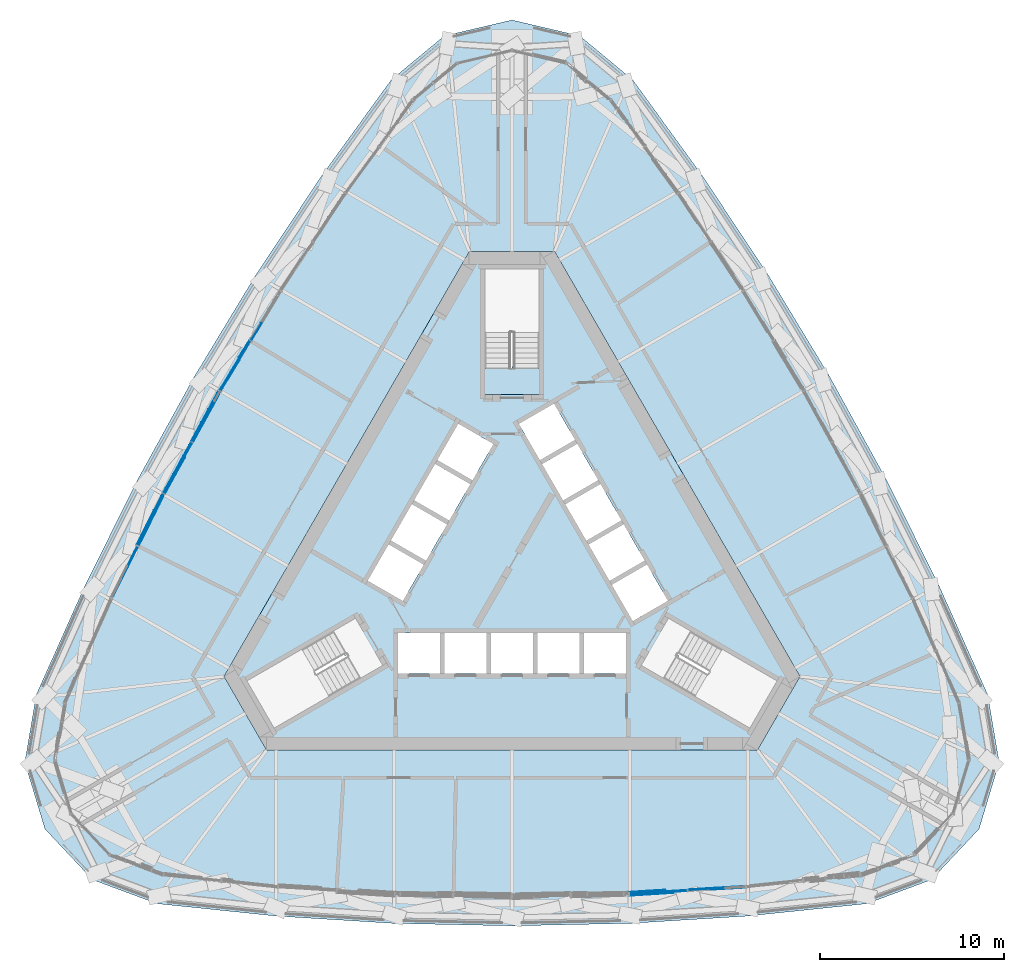
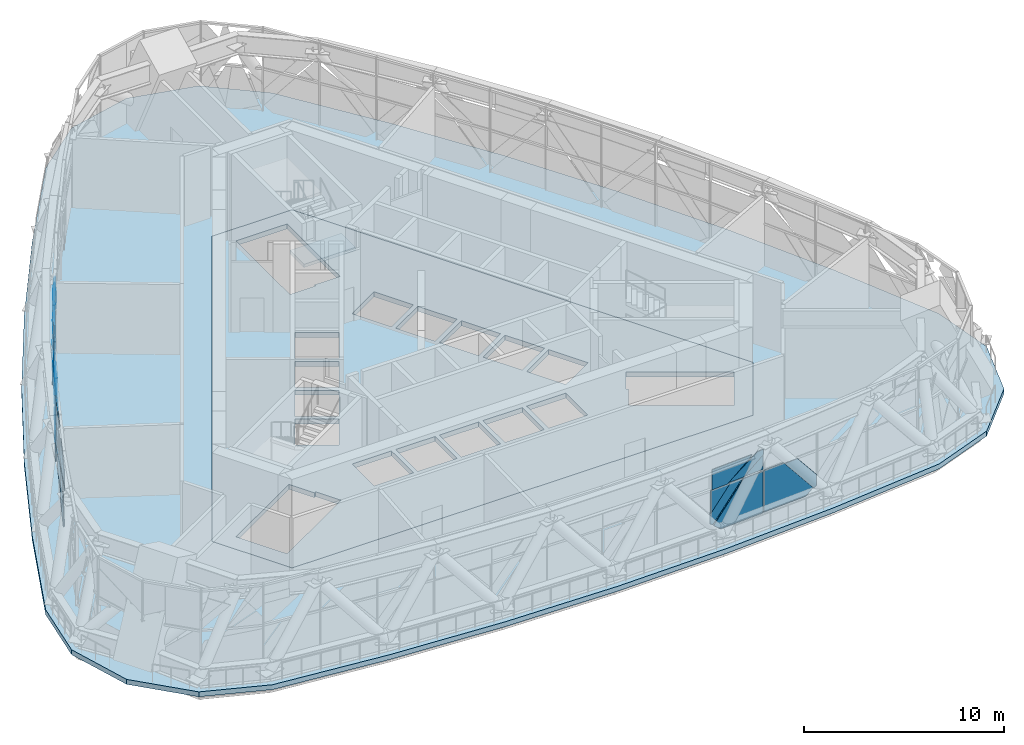
# One storey, part 11 of 33: 39 plates, 3 slabs, 3 elements without a shape of their own.
"""IFC4 building model written with IfcOpenShell, lengths in metres."""

from ifc_helpers import new_model, si_unit, direction, frame, origin, place, context, subcontext, project, spatial, polyline, outline, extrude, material, layer, layer_set, type_object, element, aggregate, save


model = new_model("IFC4")

# Units and contexts
model_context = context("Model", 3, precision=1e-05, world=origin(), true_north=direction((0.0, 1.0)))
body_context = subcontext(model_context, "Body", "Model", "MODEL_VIEW")
ifc_project = project(units=[si_unit("LENGTHUNIT", "METRE"), si_unit("AREAUNIT", "SQUARE_METRE"), si_unit("VOLUMEUNIT", "CUBIC_METRE"), si_unit("PLANEANGLEUNIT", "RADIAN"), si_unit("MASSUNIT", "GRAM", prefix="KILO")], contexts=[model_context])

# Site, building, storey
site_placement = place(None, origin())
site = spatial("IfcSite", under=ifc_project, at=site_placement, CompositionType="ELEMENT")
building_placement = place(site_placement, origin())
building = spatial("IfcBuilding", under=site, at=building_placement, Name="Mestral Congress Tower", CompositionType="ELEMENT")
storey_placement = place(building_placement, frame((0.0, 0.0, 256.199951171875)))
storey = spatial("IfcBuildingStorey", under=building, at=storey_placement, Name="L60", CompositionType="ELEMENT", Elevation=256.199951171875)

# Slabs
ifc_material_1 = material(Name="Concrete C35/45", Category="concrete")
ifc_layer_1 = layer(ifc_material_1, 0.300048828125)
ifc_layer_set_1 = layer_set([ifc_layer_1], Name="Concrete C35/45")
slab_type_1 = type_object("IfcSlabType", Name="Composite floor slab 300", PredefinedType="FLOOR", material=ifc_layer_set_1)
placement_1 = place(storey_placement, frame((0.0, 0.0, -0.300048828125)))
element("IfcSlab", 1, at=placement_1, inside=storey, type_object=slab_type_1, Name="SL-L60", PredefinedType="FLOOR", context=body_context, shape_type="SweptSolid", body=[
    extrude(outline(polyline([(-19.253662109375, -18.678466796875), (-22.75, -17.381591796875), (-25.3369140625, -14.62841796875), (-26.427978515625, -11.01123046875), (-25.802978515625, -7.334716796875), (-23.16748046875, -1.4306640625), (-20.310302734375, 4.316650390625), (-17.21728515625, 9.9404296875), (-13.8935546875, 15.430908203125), (-10.3447265625, 20.77880859375), (-6.54931640625, 26.013427734375), (-3.677978515625, 28.392822265625), (0.0, 29.256591796875), (3.677978515625, 28.392822265625), (6.54931640625, 26.013427734375), (10.3447265625, 20.77880859375), (13.8935546875, 15.430908203125), (17.21728515625, 9.9404296875), (20.310302734375, 4.316650390625), (23.16748046875, -1.4306640625), (25.802978515625, -7.334716796875), (26.427978515625, -11.01123046875), (25.3369140625, -14.62841796875), (22.75, -17.381591796875), (19.253662109375, -18.678466796875), (12.822509765625, -19.34814453125), (6.416748046875, -19.74755859375), (0.0, -19.880615234375), (-6.416748046875, -19.74755859375), (-12.822509765625, -19.34814453125), (-19.253662109375, -18.678466796875)]), holes=[polyline([(-2.309326171875, 16.699951171875), (-15.6171875, -6.35009765625), (-13.307861328125, -10.35009765625), (13.307861328125, -10.35009765625), (15.6171875, -6.35009765625), (2.309326171875, 16.699951171875), (-2.309326171875, 16.699951171875)])]), origin(), (0.0, 0.0, 1.0), 0.300048828125),
])
ifc_material_2 = material(Name="Concrete C60/75", Category="concrete")
ifc_layer_2 = layer(ifc_material_2, 0.300048828125)
ifc_layer_set_2 = layer_set([ifc_layer_2], Name="Concrete C60/75")
slab_type_2 = type_object("IfcSlabType", Name="Core floor slab RC 300", PredefinedType="FLOOR", material=ifc_layer_set_2)
element("IfcSlab", 2, at=placement_1, inside=storey, type_object=slab_type_2, Name="L60 core floor", PredefinedType="FLOOR", context=body_context, shape_type="SweptSolid", body=[
    extrude(outline(polyline([(13.307861328125, -10.35009765625), (-13.307861328125, -10.35009765625), (-15.6171875, -6.35009765625), (-2.309326171875, 16.699951171875), (2.309326171875, 16.699951171875), (15.6171875, -6.35009765625), (13.307861328125, -10.35009765625)]), holes=[polyline([(-9.8046875, -3.95751953125), (-14.37744140625, -6.59765625), (-12.90234375, -9.15234375), (-8.234619140625, -6.45751953125), (-8.971923828125, -5.179931640625), (-9.0673828125, -5.235107421875), (-9.8046875, -3.95751953125)]), polyline([(-3.905029296875, -4.0), (-6.175048828125, -4.0), (-6.175048828125, -6.199951171875), (-3.905029296875, -6.199951171875), (-3.905029296875, -4.0)]), polyline([(-1.385009765625, -4.0), (-3.655029296875, -4.0), (-3.655029296875, -6.199951171875), (-1.385009765625, -6.199951171875), (-1.385009765625, -4.0)]), polyline([(1.135009765625, -4.0), (-1.135009765625, -4.0), (-1.135009765625, -6.199951171875), (1.135009765625, -6.199951171875), (1.135009765625, -4.0)]), polyline([(-5.921630859375, -2.256591796875), (-4.78662109375, -0.29052734375), (-6.69189453125, 0.809326171875), (-7.826904296875, -1.156494140625), (-5.921630859375, -2.256591796875)]), polyline([(-4.66162109375, -0.07421875), (-3.526611328125, 1.8916015625), (-5.431884765625, 2.99169921875), (-6.56689453125, 1.02587890625), (-4.66162109375, -0.07421875)]), polyline([(-3.401611328125, 2.1083984375), (-2.2666015625, 4.07421875), (-4.171875, 5.174072265625), (-5.306884765625, 3.208251953125), (-3.401611328125, 2.1083984375)]), polyline([(-2.1416015625, 4.29052734375), (-1.006591796875, 6.256591796875), (-2.911865234375, 7.3564453125), (-4.046875, 5.390625), (-2.1416015625, 4.29052734375)]), polyline([(1.47509765625, 10.469970703125), (1.47509765625, 15.75), (-1.47509765625, 15.75), (-1.47509765625, 10.360107421875), (0.0, 10.360107421875), (0.0, 10.469970703125), (1.47509765625, 10.469970703125)]), polyline([(8.329833984375, -6.512451171875), (12.90234375, -9.15234375), (14.37744140625, -6.59765625), (9.70947265625, -3.902587890625), (8.971923828125, -5.179931640625), (9.0673828125, -5.235107421875), (8.329833984375, -6.512451171875)]), polyline([(3.655029296875, -4.0), (1.385009765625, -4.0), (1.385009765625, -6.199951171875), (3.655029296875, -6.199951171875), (3.655029296875, -4.0)]), polyline([(6.175048828125, -4.0), (3.905029296875, -4.0), (3.905029296875, -6.199951171875), (6.175048828125, -6.199951171875), (6.175048828125, -4.0)]), polyline([(5.41650390625, -1.3818359375), (6.551513671875, -3.34765625), (8.456787109375, -2.247802734375), (7.322021484375, -0.28173828125), (5.41650390625, -1.3818359375)]), polyline([(4.156494140625, 0.800537109375), (5.29150390625, -1.165283203125), (7.197021484375, -0.065185546875), (6.06201171875, 1.900634765625), (4.156494140625, 0.800537109375)]), polyline([(2.896484375, 2.98291015625), (4.031494140625, 1.01708984375), (5.93701171875, 2.1171875), (4.802001953125, 4.0830078125), (2.896484375, 2.98291015625)]), polyline([(3.5419921875, 6.265380859375), (1.63671875, 5.165283203125), (2.771484375, 3.199462890625), (4.677001953125, 4.29931640625), (3.5419921875, 6.265380859375)]), polyline([(2.281982421875, 8.44775390625), (0.376708984375, 7.34765625), (1.51171875, 5.3818359375), (3.4169921875, 6.481689453125), (2.281982421875, 8.44775390625)])]), origin(), (0.0, 0.0, 1.0), 0.300048828125),
])

# Stair, slab
stair_type = type_object("IfcStairType", Name="Exit stair 1400", PredefinedType="HALF_TURN_STAIR", material=ifc_material_2)
placement_2 = place(storey_placement, origin())
stair = element("IfcStair", 3, at=placement_2, inside=storey, type_object=stair_type, Name="L60 ST2", PredefinedType="HALF_TURN_STAIR")
ifc_layer_3 = layer(ifc_material_2, 0.199951171875)
ifc_layer_set_3 = layer_set([ifc_layer_3], Name="Concrete C60/75")
slab_type_3 = type_object("IfcSlabType", Name="Exit stair landing 200", PredefinedType="LANDING", material=ifc_layer_set_3)
slab_3_placement = place(storey_placement, frame((0.0, 0.0, 2.5)))
slab_3 = element("IfcSlab", 4, at=slab_3_placement, type_object=slab_type_3, Name="ST2 landing 2", PredefinedType="LANDING", context=body_context, shape_type="SweptSolid", body=[
    extrude(outline(polyline([(1.485107421875, 8.93994140625), (-1.485107421875, 8.93994140625), (-1.485107421875, 10.360107421875), (1.485107421875, 10.360107421875), (1.485107421875, 8.93994140625)])), origin(), (0.0, 0.0, 1.0), 0.199951171875),
])
aggregate(stair, [slab_3])

# Curtain wall, plates
ifc_material_3 = material(Name="Clear low-emissivity double glazing", Category="glass")
curtain_wall_type = type_object("IfcCurtainWallType", Name="Facade refuge band screen", PredefinedType="USERDEFINED", material=ifc_material_3)
curtain_wall_1 = element("IfcCurtainWall", 5, at=placement_2, inside=storey, type_object=curtain_wall_type, Name="Facade refuge band screen face 1", ObjectType="CURTAIN WALL", PredefinedType="USERDEFINED")
ifc_material_4 = material(Name="Anodised aluminium", Category="aluminium")
ifc_layer_4 = layer(ifc_material_4, 0.028076171875)
ifc_layer_set_4 = layer_set([ifc_layer_4], Name="Anodised aluminium")
plate_type_1 = type_object("IfcPlateType", Name="Facade refuge band screen brace cover panel", PredefinedType="CURTAIN_PANEL", material=ifc_layer_set_4)
plate_1_placement = place(storey_placement, frame((8.330322265625, -17.951171875, 2.5400390625), z_axis=(0.062144792562, -0.998065140497, 0.002000020462), x_axis=(-0.638388568148, -0.04128964255, -0.768606011865)))
plate_1 = element("IfcPlate", 6, at=plate_1_placement, type_object=plate_type_1, Name="Facade refuge band screen brace cover panel", PredefinedType="CURTAIN_PANEL", context=body_context, shape_type="SweptSolid", body=[
    extrude(outline(polyline([(0.0, 0.0), (2.827320616472981, 0.0), (2.827377368042765, -0.19470317227587874), (2.3272451732591004, -0.6108700489222334), (0.5082584416848275, -0.6106593972965141), (0.0, 0.0)])), origin(), (0.0, 0.0, -1.0), 0.028076171875),
])
plate_2_placement = place(storey_placement, frame((9.4912109375, -17.966552734375, 2.66015625), z_axis=(0.062351858109, -0.998052454203, 0.001882670683), x_axis=(-0.998054222981, -0.062351968611, 0.0)))
plate_2 = element("IfcPlate", 7, at=plate_2_placement, type_object=plate_type_1, Name="Facade refuge band screen brace cover panel", PredefinedType="CURTAIN_PANEL", context=body_context, shape_type="SweptSolid", body=[
    extrude(outline(polyline([(0.0, 0.0), (1.1550795585099667, 0.0), (0.00013710704167642525, -0.9140641199282181), (0.0, 0.0)])), origin(), (0.0, 0.0, -1.0), 0.028076171875),
])
plate_3_placement = place(storey_placement, frame((9.492919921875, -17.99609375, 3.887939453125), z_axis=(0.062354867406, -0.998052443288, 0.001786325364), x_axis=(1.4524698e-05, -0.001788900805, -0.99999839981)))
plate_3 = element("IfcPlate", 8, at=plate_3_placement, type_object=plate_type_1, Name="Facade refuge band screen brace cover panel", PredefinedType="CURTAIN_PANEL", context=body_context, shape_type="SweptSolid", body=[
    extrude(outline(polyline([(0.0, 0.0), (0.3137210745990492, 3.3881317890172014e-21), (1.2278972674296507, -1.1548537408905661), (1.2279892076681111, -2.1034727433419658), (3.495702983345872e-05, -0.3603198839210356), (0.0, 0.0)])), origin(), (0.0, 0.0, -1.0), 0.028076171875),
])
plate_4_placement = place(storey_placement, frame((8.638427734375, -18.10986328125, 3.710693359375), z_axis=(0.06213692275, -0.998065540411, 0.002044474346), x_axis=(-0.782545949217, -0.049990466983, -0.620582621877)))
plate_4 = element("IfcPlate", 9, at=plate_4_placement, type_object=plate_type_1, Name="Facade refuge band screen brace cover panel", PredefinedType="CURTAIN_PANEL", context=body_context, shape_type="SweptSolid", body=[
    extrude(outline(polyline([(0.0, 0.0), (1.692824227155357, 1.1102230246251565e-16), (2.420935109341617, -0.5762415467000305), (1.659063194268874, -1.5390545065045025), (-0.2258667883353706, -0.04728380211361678), (0.0, 0.0)])), origin(), (0.0, 0.0, -1.0), 0.028076171875),
])
plate_5_placement = place(storey_placement, frame((12.663818359375, -17.815185546875, 0.492919921875), z_axis=(0.062052974081, -0.99807113598, 0.001853626329), x_axis=(-0.775899082091, -0.049407928157, -0.628919288181)))
plate_5 = element("IfcPlate", 10, at=plate_5_placement, type_object=plate_type_1, Name="Facade refuge band screen brace cover panel", PredefinedType="CURTAIN_PANEL", context=body_context, shape_type="SweptSolid", body=[
    extrude(outline(polyline([(0.0, 0.0), (0.196036544384807, -1.3877787807814457e-17), (0.19515850341150043, -2.7909278487270806), (-0.41492851637632144, -2.2974084926978247), (-0.4142881590230374, -0.5124089439145706), (0.0, 0.0)])), origin(), (0.0, 0.0, -1.0), 0.028076171875),
])

curtain_wall_2 = element("IfcCurtainWall", 11, at=placement_2, inside=storey, type_object=curtain_wall_type, Name="Facade refuge band screen face 3", ObjectType="CURTAIN WALL", PredefinedType="USERDEFINED")
plate_6_placement = place(storey_placement, frame((-15.805419921875, 9.15966796875, 0.50048828125), z_axis=(-0.855416975413, 0.51793637812, 0.001925200217), x_axis=(0.398444970648, 0.660432252264, -0.636451762143)))
plate_6 = element("IfcPlate", 12, at=plate_6_placement, type_object=plate_type_1, Name="Facade refuge band screen brace cover panel", PredefinedType="CURTAIN_PANEL", context=body_context, shape_type="SweptSolid", body=[
    extrude(outline(polyline([(0.0, 0.0), (0.20177198046057285, 1.3877787807814457e-17), (0.20042256245728418, -2.8096334307628164), (-0.4126345769633153, -2.303767933156035), (-0.411700257397858, -0.49907683110719514), (0.0, 0.0)])), origin(), (0.0, 0.0, -1.0), 0.028076171875),
])
plate_7_placement = place(storey_placement, frame((-15.20751953125, 10.255126953125, 2.66015625), z_axis=(-0.855427031526, 0.517919733572, 0.00193476394), x_axis=(0.517920702788, 0.855428632688, -9.2996e-08)))
plate_7 = element("IfcPlate", 13, at=plate_7_placement, type_object=plate_type_1, Name="Facade refuge band screen brace cover panel", PredefinedType="CURTAIN_PANEL", context=body_context, shape_type="SweptSolid", body=[
    extrude(outline(polyline([(0.0, 0.0), (0.7948200798189605, 1.0842021724855044e-19), (1.8691751340020721, -1.3029810688824501), (1.8690103049889002, -1.6279329299602396), (1.3421166034116943, -1.627932745114823), (0.0, 0.0)])), origin(), (0.0, 0.0, -1.0), 0.028076171875),
])
plate_8_placement = place(storey_placement, frame((-16.846923828125, 7.447265625, 2.5400390625), z_axis=(-0.876198636607, 0.481945799732, 0.002048249992), x_axis=(0.305178809276, 0.558107792197, -0.771609737275)))
plate_8 = element("IfcPlate", 14, at=plate_8_placement, type_object=plate_type_1, Name="Facade refuge band screen brace cover panel", PredefinedType="CURTAIN_PANEL", context=body_context, shape_type="SweptSolid", body=[
    extrude(outline(polyline([(0.0, 0.0), (2.8096701158355097, 0.0), (2.809560862782961, -0.2017529115772827), (2.3103142238405114, -0.6132482681855543), (0.505641377659625, -0.6133658670561077), (0.0, 0.0)])), origin(), (0.0, 0.0, -1.0), 0.028076171875),
])
plate_9_placement = place(storey_placement, frame((-16.8681640625, 7.34619140625, 2.66015625), z_axis=(-0.876235094746, 0.481879438201, 0.002065375073), x_axis=(0.481880466565, 0.876236963351, 3.12624e-07)))
plate_9 = element("IfcPlate", 15, at=plate_9_placement, type_object=plate_type_1, Name="Facade refuge band screen brace cover panel", PredefinedType="CURTAIN_PANEL", context=body_context, shape_type="SweptSolid", body=[
    extrude(outline(polyline([(0.0, 0.0), (0.7947017264448775, 0.0), (-0.5472923116402686, -1.6279334283043365), (-1.074177024268392, -1.6279335675669595), (-1.0741984940126765, -1.302981962128315), (0.0, 0.0)])), origin(), (0.0, 0.0, -1.0), 0.028076171875),
])
plate_10_placement = place(storey_placement, frame((-18.867431640625, 3.59521484375, 0.500732421875), z_axis=(-0.876282913322, 0.481792353902, 0.002093690983), x_axis=(0.372110592484, 0.679541540207, -0.632263396137)))
plate_10 = element("IfcPlate", 16, at=plate_10_placement, type_object=plate_type_1, Name="Facade refuge band screen brace cover panel", PredefinedType="CURTAIN_PANEL", context=body_context, shape_type="SweptSolid", body=[
    extrude(outline(polyline([(0.0, 0.0), (0.2019497471340079, 1.3877787807814457e-17), (0.20269352211417369, -2.7976256775714865), (-0.4105423814962612, -2.2971722848183256), (-0.4109529375424388, -0.5034806473619563), (0.0, 0.0)])), origin(), (0.0, 0.0, -1.0), 0.028076171875),
])
plate_11_placement = place(storey_placement, frame((-17.94091796875, 5.3955078125, 2.66015625), z_axis=(-0.876285619366, 0.481787447184, 0.002090221937), x_axis=(0.306173078471, 0.553514106652, 0.774519321745)))
plate_11 = element("IfcPlate", 17, at=plate_11_placement, type_object=plate_type_1, Name="Facade refuge band screen brace cover panel", PredefinedType="CURTAIN_PANEL", context=body_context, shape_type="SweptSolid", body=[
    extrude(outline(polyline([(0.0, 0.0), (1.5852195918859489, 1.1102230246251565e-16), (1.0845418756823901, -0.6130527679669315), (-0.5006777162035588, -0.6130527679669318), (0.0, 0.0)])), origin(), (0.0, 0.0, -1.0), 0.028076171875),
])
plate_12_placement = place(storey_placement, frame((-19.815185546875, 1.812744140625, 2.5400390625), z_axis=(-0.895427917878, 0.445201771676, 0.002055816305), x_axis=(0.283415027555, 0.573577561346, -0.76856014942)))
plate_12 = element("IfcPlate", 18, at=plate_12_placement, type_object=plate_type_1, Name="Facade refuge band screen brace cover panel", PredefinedType="CURTAIN_PANEL", context=body_context, shape_type="SweptSolid", body=[
    extrude(outline(polyline([(0.0, 0.0), (2.827489685166924, -2.220446049250313e-16), (2.827492259620915, -0.19462156415574183), (2.327506205375566, -0.6109642974868631), (0.5084587319948426, -0.6108107418727559), (0.0, 0.0)])), origin(), (0.0, 0.0, -1.0), 0.028076171875),
])
plate_13_placement = place(storey_placement, frame((-20.330078125, 0.7763671875, 2.66015625), z_axis=(-0.895437916871, 0.445182307113, 0.001910618785), x_axis=(0.445183119676, 0.895439551257, 0.0)))
plate_13 = element("IfcPlate", 19, at=plate_13_placement, type_object=plate_type_1, Name="Facade refuge band screen brace cover panel", PredefinedType="CURTAIN_PANEL", context=body_context, shape_type="SweptSolid", body=[
    extrude(outline(polyline([(0.0, 0.0), (1.1549408176666986, 0.0), (-0.00022232897631165505, -0.9140641683807569), (0.0, 0.0)])), origin(), (0.0, 0.0, -1.0), 0.028076171875),
])
plate_14_placement = place(storey_placement, frame((-20.354736328125, 0.78857421875, 3.887939453125), z_axis=(-0.895480927051, 0.445096063969, 0.001844756806), x_axis=(-0.001650115417, 0.000824781015, -0.999998298426)))
plate_14 = element("IfcPlate", 20, at=plate_14_placement, type_object=plate_type_1, Name="Facade refuge band screen brace cover panel", PredefinedType="CURTAIN_PANEL", context=body_context, shape_type="SweptSolid", body=[
    extrude(outline(polyline([(0.0, 0.0), (0.3137211763890565, -2.7316812548951186e-20), (1.2277900933251804, -1.1548322576128653), (1.2277938868459202, -2.103635096860657), (1.5221369438251525e-06, -0.3604141629692868), (0.0, 0.0)])), origin(), (0.0, 0.0, -1.0), 0.028076171875),
])
plate_15_placement = place(storey_placement, frame((-19.918701171875, 1.531982421875, 3.710693359375), z_axis=(-0.895454783306, 0.445147875154, 0.002024919737), x_axis=(0.347927144293, 0.702709617976, -0.62060123676)))
plate_15 = element("IfcPlate", 21, at=plate_15_placement, type_object=plate_type_1, Name="Facade refuge band screen brace cover panel", PredefinedType="CURTAIN_PANEL", context=body_context, shape_type="SweptSolid", body=[
    extrude(outline(polyline([(0.0, 0.0), (1.6927726024747827, 2.220446049250313e-16), (2.420914598108414, -0.576293930957485), (1.659029072269068, -1.5390959947299105), (-0.2256644673723035, -0.04743996152738597), (0.0, 0.0)])), origin(), (0.0, 0.0, -1.0), 0.028076171875),
])
plate_16_placement = place(storey_placement, frame((-21.71875, -2.080078125, 2.66015625), z_axis=(-0.895468988108, 0.445119657561, 0.001944682514), x_axis=(0.445120499326, 0.895470681307, 5.0571e-08)))
plate_16 = element("IfcPlate", 22, at=plate_16_placement, type_object=plate_type_1, Name="Facade refuge band screen brace cover panel", PredefinedType="CURTAIN_PANEL", context=body_context, shape_type="SweptSolid", body=[
    extrude(outline(polyline([(0.0, 0.0), (3.1157637945906336, -4.336808689942018e-19), (3.115868684873493, -0.9614275733212782), (2.779364783059863, -1.2277853136650825), (-0.00011499379706772259, -1.2277857645140424), (0.0, 0.0)])), origin(), (0.0, 0.0, -1.0), 0.028076171875),
])

# Plate
ifc_layer_5 = layer(ifc_material_3, 0.028076171875)
ifc_layer_set_5 = layer_set([ifc_layer_5], Name="Clear low-emissivity double glazing")
plate_type_2 = type_object("IfcPlateType", Name="Facade refuge band screen panel", PredefinedType="CURTAIN_PANEL", material=ifc_layer_set_5)
plate_17_placement = place(storey_placement, frame((6.379638671875, -18.1328125, 2.5400390625), z_axis=(0.062312861603, -0.998054823716, 0.001917325019), x_axis=(0.998056658214, 0.062312976138, 0.0)))
plate_17 = element("IfcPlate", 23, at=plate_17_placement, type_object=plate_type_2, Name="Refuge screen glass unit", PredefinedType="CURTAIN_PANEL", context=body_context, shape_type="SweptSolid", body=[
    extrude(outline(polyline([(0.0, 0.0), (1.1636383000575827, 0.0), (-0.00016734441833993004, -1.397951788282271), (0.0, 0.0)])), origin(), (0.0, 0.0, -1.0), 0.028076171875),
])

plate_18_placement = place(storey_placement, frame((9.4912109375, -17.96875, 2.5400390625), z_axis=(0.062276925419, -0.99805694953, 0.001977385809), x_axis=(9.3430526e-05, -0.001975401682, -0.999998044528)))
plate_18 = element("IfcPlate", 24, at=plate_18_placement, type_object=plate_type_2, Name="Refuge screen glass unit", PredefinedType="CURTAIN_PANEL", context=body_context, shape_type="SweptSolid", body=[
    extrude(outline(polyline([(0.0, 0.0), (2.540044246125615, -6.776263578034403e-20), (2.540119339371607, -2.5254068616455094), (2.173188161649698, -2.9661624977483356), (3.481583254962802e-05, -1.1575314263273493), (0.0, 0.0)])), origin(), (0.0, 0.0, -1.0), 0.028076171875),
])

plate_19_placement = place(storey_placement, frame((12.05126953125, -17.790283203125, 0.0), z_axis=(0.062249017537, -0.998058622329, 0.00201151925), x_axis=(-0.998060641514, -0.062249143457, 8.616e-09)))
plate_19 = element("IfcPlate", 25, at=plate_19_placement, type_object=plate_type_2, Name="Refuge screen glass unit", PredefinedType="CURTAIN_PANEL", context=body_context, shape_type="SweptSolid", body=[
    extrude(outline(polyline([(0.0, 0.0), (2.5063248377976244, 0.0), (2.5062493783917086, -2.540044247264637), (1.2971218180432462, -2.540044112889575), (-0.45748127045909076, -0.36962981314448423), (0.0, 0.0)])), origin(), (0.0, 0.0, -1.0), 0.028076171875),
])

aggregate(curtain_wall_1, [plate_17, plate_18, plate_1, plate_2, plate_3, plate_4, plate_19, plate_5])

plate_20_placement = place(storey_placement, frame((-14.10888671875, 11.949462890625, 3.887939453125), z_axis=(-0.855606927722, 0.517622553036, 0.001917765158), x_axis=(-0.517623502265, -0.855608502705, 1.605758e-06)))
plate_20 = element("IfcPlate", 26, at=plate_20_placement, type_object=plate_type_2, Name="Refuge screen glass unit", PredefinedType="CURTAIN_PANEL", context=body_context, shape_type="SweptSolid", body=[
    extrude(outline(polyline([(0.0, 0.0), (0.08926667560415329, 0.0), (0.08902235471693137, -1.227785603866189), (-1.0027394956471107, -1.227783707416939), (0.0, 0.0)])), origin(), (0.0, 0.0, -1.0), 0.028076171875),
])

plate_21_placement = place(storey_placement, frame((-14.214111328125, 11.838623046875, 2.5400390625), z_axis=(-0.855466437246, 0.51785433327, 0.002016000707), x_axis=(-0.517855385634, -0.855468175662, -8.051e-09)))
plate_21 = element("IfcPlate", 27, at=plate_21_placement, type_object=plate_type_2, Name="Refuge screen glass unit", PredefinedType="CURTAIN_PANEL", context=body_context, shape_type="SweptSolid", body=[
    extrude(outline(polyline([(0.0, 0.0), (1.1729488284733272, -4.336808689942018e-19), (3.1159074030865392, -2.3566942688766135), (3.115824979565085, -2.54004418159469), (-2.1647761314269315e-05, -2.540044283425243), (0.0, 0.0)])), origin(), (0.0, 0.0, -1.0), 0.028076171875),
])

plate_22_placement = place(storey_placement, frame((-15.853515625, 9.188720703125, 2.5400390625), z_axis=(-0.855344799742, 0.51805567682, 0.001894536686), x_axis=(-0.001577837275, 0.001051891517, -0.999998201975)))
plate_22 = element("IfcPlate", 28, at=plate_22_placement, type_object=plate_type_2, Name="Refuge screen glass unit", PredefinedType="CURTAIN_PANEL", context=body_context, shape_type="SweptSolid", body=[
    extrude(outline(polyline([(0.0, 0.0), (1.3925806288944116, 9.486769009248164e-20), (9.450587846288451e-05, -1.147995321308626), (0.0, 0.0)])), origin(), (0.0, 0.0, -1.0), 0.028076171875),
])

plate_23_placement = place(storey_placement, frame((-14.262939453125, 11.868408203125, 3.963134765625), z_axis=(-0.855419000518, 0.517933023959, 0.001927756441), x_axis=(-0.3307664329, -0.543422649158, -0.77154740052)))
plate_23 = element("IfcPlate", 29, at=plate_23_placement, type_object=plate_type_2, Name="Refuge screen glass unit", PredefinedType="CURTAIN_PANEL", context=body_context, shape_type="SweptSolid", body=[
    extrude(outline(polyline([(0.0, 0.0), (1.6887860872152778, 1.1102230246251565e-16), (1.0053731106505472, -0.8288451234419596), (0.0, 0.0)])), origin(), (0.0, 0.0, -1.0), 0.028076171875),
])

plate_24_placement = place(storey_placement, frame((-15.827392578125, 9.173095703125, 2.66015625), z_axis=(-0.85544566898, 0.517888679427, 0.002005777755), x_axis=(0.517889720972, 0.855447389914, -1.3333e-07)))
plate_24 = element("IfcPlate", 30, at=plate_24_placement, type_object=plate_type_2, Name="Refuge screen glass unit", PredefinedType="CURTAIN_PANEL", context=body_context, shape_type="SweptSolid", body=[
    extrude(outline(polyline([(0.0, 0.0), (1.2465563040518781, 0.0), (2.58879916690726, -1.6279333073722562), (-7.134615246422364e-05, -1.6279327959952976), (0.0, 0.0)])), origin(), (0.0, 0.0, -1.0), 0.028076171875),
])

plate_25_placement = place(storey_placement, frame((-15.822998046875, 9.17041015625, 4.2880859375), z_axis=(-0.855437994488, 0.51790138375, 0.001998573688), x_axis=(0.517902417862, 0.855439703061, -1.26929e-07)))
plate_25 = element("IfcPlate", 31, at=plate_25_placement, type_object=plate_type_2, Name="Refuge screen glass unit", PredefinedType="CURTAIN_PANEL", context=body_context, shape_type="SweptSolid", body=[
    extrude(outline(polyline([(0.0, 0.0), (2.588744072984468, 4.336808689942018e-19), (2.951510509377509, -0.4399425433163279), (2.645609680097398, -0.6918962191760927), (-0.00012086649260101047, -0.6918955771114627), (0.0, 0.0)])), origin(), (0.0, 0.0, -1.0), 0.028076171875),
])

plate_26_placement = place(storey_placement, frame((-15.85791015625, 9.12060546875, 2.5400390625), z_axis=(-0.876213794628, 0.481917587046, 0.002196679043), x_axis=(-0.481918749772, -0.876215908677, 0.0)))
plate_26 = element("IfcPlate", 32, at=plate_26_placement, type_object=plate_type_2, Name="Refuge screen glass unit", PredefinedType="CURTAIN_PANEL", context=body_context, shape_type="SweptSolid", body=[
    extrude(outline(polyline([(0.0, 0.0), (1.1479583571121805, 2.168404344971009e-19), (1.0695994978962785e-05, -1.39258148488458), (0.0, 0.0)])), origin(), (0.0, 0.0, -1.0), 0.028076171875),
])

plate_27_placement = place(storey_placement, frame((-17.31396484375, 6.365478515625, 2.5400390625), z_axis=(-0.876190261826, 0.48196113358, 0.002022572686), x_axis=(-0.001790476995, 0.00094150754, -0.999997953876)))
plate_27 = element("IfcPlate", 33, at=plate_27_placement, type_object=plate_type_2, Name="Refuge screen glass unit", PredefinedType="CURTAIN_PANEL", context=body_context, shape_type="SweptSolid", body=[
    extrude(outline(polyline([(0.0, 0.0), (2.540044469302145, 2.710505431213761e-20), (2.5399490350573948, -2.5088846738328034), (2.1678606051402745, -2.9601773895540875), (-4.424011235916339e-05, -1.1729762818026472), (0.0, 0.0)])), origin(), (0.0, 0.0, -1.0), 0.028076171875),
])

plate_28_placement = place(storey_placement, frame((-15.85498046875, 9.118896484375, 4.2880859375), z_axis=(-0.876222107736, 0.481903063902, 0.002062744889), x_axis=(-0.481904089181, -0.876223971842, -2.599e-08)))
plate_28 = element("IfcPlate", 34, at=plate_28_placement, type_object=plate_type_2, Name="Refuge screen glass unit", PredefinedType="CURTAIN_PANEL", context=body_context, shape_type="SweptSolid", body=[
    extrude(outline(polyline([(0.0, 0.0), (2.588751664575012, 0.0), (1.2467572490330177, -1.6279331184596073), (-8.558237995697381e-05, -1.6279332181487063), (0.0, 0.0)])), origin(), (0.0, 0.0, -1.0), 0.028076171875),
])

plate_29_placement = place(storey_placement, frame((-17.09912109375, 6.8486328125, 4.2880859375), z_axis=(-0.876208053904, 0.481927844264, 0.002235888182), x_axis=(0.481929048626, 0.876210244228, -1.37128e-07)))
plate_29 = element("IfcPlate", 35, at=plate_29_placement, type_object=plate_type_2, Name="Refuge screen glass unit", PredefinedType="CURTAIN_PANEL", context=body_context, shape_type="SweptSolid", body=[
    extrude(outline(polyline([(0.0, 0.0), (2.5889655829705025, -4.336808689942018e-19), (2.5890296832971273, -0.6918964607992362), (-0.056870682953963164, -0.6918960718473726), (-0.3626263688976117, -0.43994201217427986), (0.0, 0.0)])), origin(), (0.0, 0.0, -1.0), 0.028076171875),
])

plate_30_placement = place(storey_placement, frame((-16.894287109375, 7.360595703125, 2.66015625), z_axis=(-0.876194798152, 0.481952584772, 0.002093256681), x_axis=(-0.305182705872, -0.558176422251, 0.771558551038)))
plate_30 = element("IfcPlate", 36, at=plate_30_placement, type_object=plate_type_2, Name="Refuge screen glass unit", PredefinedType="CURTAIN_PANEL", context=body_context, shape_type="SweptSolid", body=[
    extrude(outline(polyline([(0.0, 0.0), (1.6887616809805235, 0.0), (0.6835011726944593, -0.8289823720932609), (0.0, 0.0)])), origin(), (0.0, 0.0, -1.0), 0.028076171875),
])

plate_31_placement = place(storey_placement, frame((-17.388671875, 6.337890625, 2.5400390625), z_axis=(-0.876225404213, 0.481897461131, 0.001969255264), x_axis=(-0.481898395298, -0.876227103329, 1.31302e-07)))
plate_31 = element("IfcPlate", 37, at=plate_31_placement, type_object=plate_type_2, Name="Refuge screen glass unit", PredefinedType="CURTAIN_PANEL", context=body_context, shape_type="SweptSolid", body=[
    extrude(outline(polyline([(0.0, 0.0), (1.1896941316837508, 0.0), (3.1157108302732572, -2.3586477609728873), (3.115828457431038, -2.540044314906537), (-2.1842280004379297e-05, -2.540044037076338), (0.0, 0.0)])), origin(), (0.0, 0.0, -1.0), 0.028076171875),
])

plate_32_placement = place(storey_placement, frame((-18.91650390625, 3.622314453125, 2.5400390625), z_axis=(-0.87612787373, 0.48207478191, 0.001963038595), x_axis=(-0.001757157038, 0.000878578519, -0.999998070248)))
plate_32 = element("IfcPlate", 38, at=plate_32_placement, type_object=plate_type_2, Name="Refuge screen glass unit", PredefinedType="CURTAIN_PANEL", context=body_context, shape_type="SweptSolid", body=[
    extrude(outline(polyline([(0.0, 0.0), (1.3894069780864462, -1.3552527156068805e-19), (-8.772915386789568e-05, -1.1344172422797443), (0.0, 0.0)])), origin(), (0.0, 0.0, -1.0), 0.028076171875),
])

plate_33_placement = place(storey_placement, frame((-17.40283203125, 6.243896484375, 3.887939453125), z_axis=(-0.876253359494, 0.481846327195, 0.002041309466), x_axis=(-0.306177095541, -0.553511897697, -0.774519312395)))
plate_33 = element("IfcPlate", 39, at=plate_33_placement, type_object=plate_type_2, Name="Refuge screen glass unit", PredefinedType="CURTAIN_PANEL", context=body_context, shape_type="SweptSolid", body=[
    extrude(outline(polyline([(0.0, 0.0), (1.5852195918692908, -1.1102230246251565e-16), (0.894539716877322, -0.8456999132951755), (-0.0563991640816395, -0.06905768125011288), (0.0, 0.0)])), origin(), (0.0, 0.0, -1.0), 0.028076171875),
])

plate_34_placement = place(storey_placement, frame((-18.243408203125, 4.65869140625, 2.66015625), z_axis=(-0.876222961538, 0.481901508254, 0.002063495981), x_axis=(0.306188137936, 0.553413339944, 0.774585372544)))
plate_34 = element("IfcPlate", 40, at=plate_34_placement, type_object=plate_type_2, Name="Refuge screen glass unit", PredefinedType="CURTAIN_PANEL", context=body_context, shape_type="SweptSolid", body=[
    extrude(outline(polyline([(0.0, 0.0), (1.5850844695214685, -1.1102230246251565e-16), (0.1714165306529557, -1.7313285834465546), (-0.7796036024197048, -0.9547858492330458), (0.0, 0.0)])), origin(), (0.0, 0.0, -1.0), 0.028076171875),
])

plate_35_placement = place(storey_placement, frame((-18.76171875, 3.835693359375, 3.887939453125), z_axis=(-0.876211691977, 0.481922143273, 0.002029449799), x_axis=(0.481923135833, 0.876213496329, 6.6833e-08)))
plate_35 = element("IfcPlate", 41, at=plate_35_placement, type_object=plate_type_2, Name="Refuge screen glass unit", PredefinedType="CURTAIN_PANEL", context=body_context, shape_type="SweptSolid", body=[
    extrude(outline(polyline([(0.0, 0.0), (1.9735822098883884, 0.0), (2.2999919191480633, -0.4001471546973889), (-7.484083160938798e-05, -0.40014744031771593), (0.0, 0.0)])), origin(), (0.0, 0.0, -1.0), 0.028076171875),
])

plate_36_placement = place(storey_placement, frame((-18.7861328125, 3.84912109375, 4.97998046875), z_axis=(-0.876220083626, 0.481907559833, 0.001862478593), x_axis=(-0.001743680295, 0.000694381344, -0.999998238705)))
plate_36 = element("IfcPlate", 42, at=plate_36_placement, type_object=plate_type_2, Name="Refuge screen glass unit", PredefinedType="CURTAIN_PANEL", context=body_context, shape_type="SweptSolid", body=[
    extrude(outline(polyline([(0.0, 0.0), (0.6918957801891619, -2.710505431213761e-20), (0.6913622743677105, -2.300398273589331), (0.25231379629773876, -2.6587192679623497), (-0.0005446195068851882, -2.3485837300637558), (0.0, 0.0)])), origin(), (0.0, 0.0, -1.0), 0.028076171875),
])

plate_37_placement = place(storey_placement, frame((-20.2587890625, 0.74072265625, 2.5400390625), z_axis=(-0.895449457888, 0.445158898439, 0.00195537926), x_axis=(-0.001748970513, 0.000874431187, -0.999998088234)))
plate_37 = element("IfcPlate", 43, at=plate_37_placement, type_object=plate_type_2, Name="Refuge screen glass unit", PredefinedType="CURTAIN_PANEL", context=body_context, shape_type="SweptSolid", body=[
    extrude(outline(polyline([(0.0, 0.0), (2.5400438138035932, 2.896852679609707e-19), (2.5400550068863343, -2.5255187577723635), (2.173113181678214, -2.966401209058229), (4.854402628127661e-06, -1.157451769234722), (0.0, 0.0)])), origin(), (0.0, 0.0, -1.0), 0.028076171875),
])

plate_38_placement = place(storey_placement, frame((-18.91650390625, 3.552978515625, 2.5400390625), z_axis=(-0.895430124034, 0.445197451546, 0.00203029793), x_axis=(-0.445198369125, -0.89543196957, 0.0)))
plate_38 = element("IfcPlate", 44, at=plate_38_placement, type_object=plate_type_2, Name="Refuge screen glass unit", PredefinedType="CURTAIN_PANEL", context=body_context, shape_type="SweptSolid", body=[
    extrude(outline(polyline([(0.0, 0.0), (1.1636754358908783, 1.0842021724855044e-19), (-0.00022475784330205635, -1.3979521000089155), (0.0, 0.0)])), origin(), (0.0, 0.0, -1.0), 0.028076171875),
])

plate_39_placement = place(storey_placement, frame((-21.4326171875, -1.541748046875, 0.0), z_axis=(-0.895444416105, 0.445168743058, 0.002021848438), x_axis=(0.445169652866, 0.895446246386, -5.0274e-08)))
plate_39 = element("IfcPlate", 45, at=plate_39_placement, type_object=plate_type_2, Name="Refuge screen glass unit", PredefinedType="CURTAIN_PANEL", context=body_context, shape_type="SweptSolid", body=[
    extrude(outline(polyline([(0.0, 0.0), (2.506411781402856, -4.336808689942018e-19), (2.5062905015913377, -2.5400444663522417), (1.297304236687527, -2.5400441208880404), (-0.4573706800118722, -0.3696297685433495), (0.0, 0.0)])), origin(), (0.0, 0.0, -1.0), 0.028076171875),
])

aggregate(curtain_wall_2, [plate_20, plate_21, plate_22, plate_6, plate_23, plate_24, plate_25, plate_7, plate_26, plate_27, plate_8, plate_28, plate_29, plate_30, plate_9, plate_31, plate_32, plate_10, plate_33, plate_34, plate_35, plate_36, plate_11, plate_37, plate_38, plate_12, plate_13, plate_14, plate_15, plate_39, plate_16])

save(model, "model.ifc")
